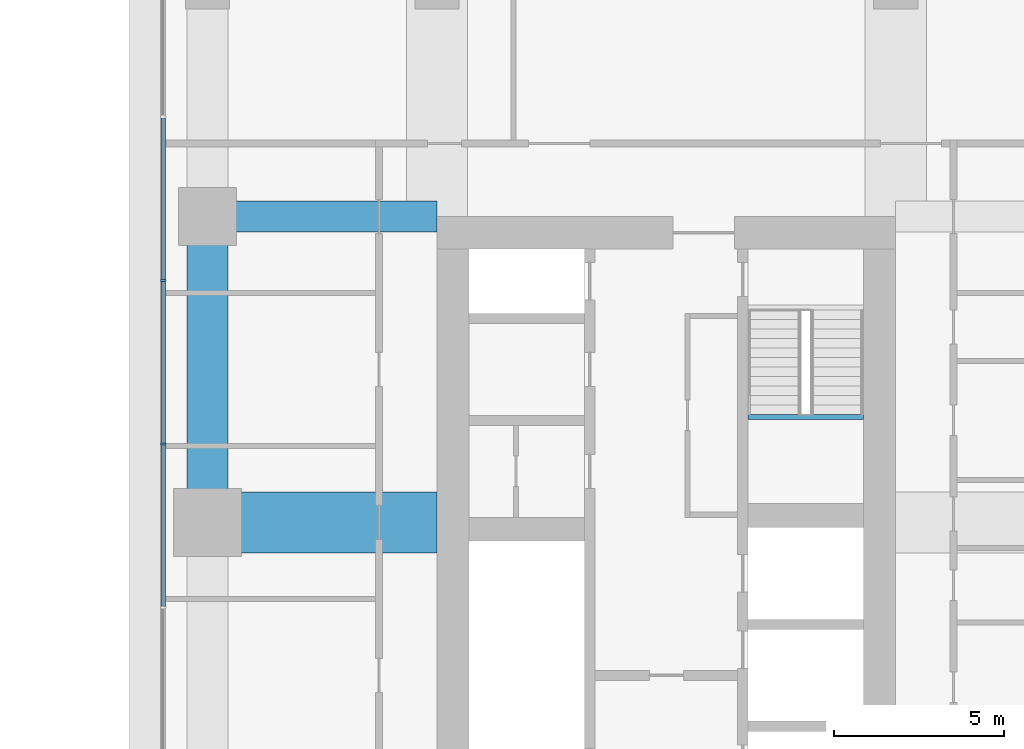
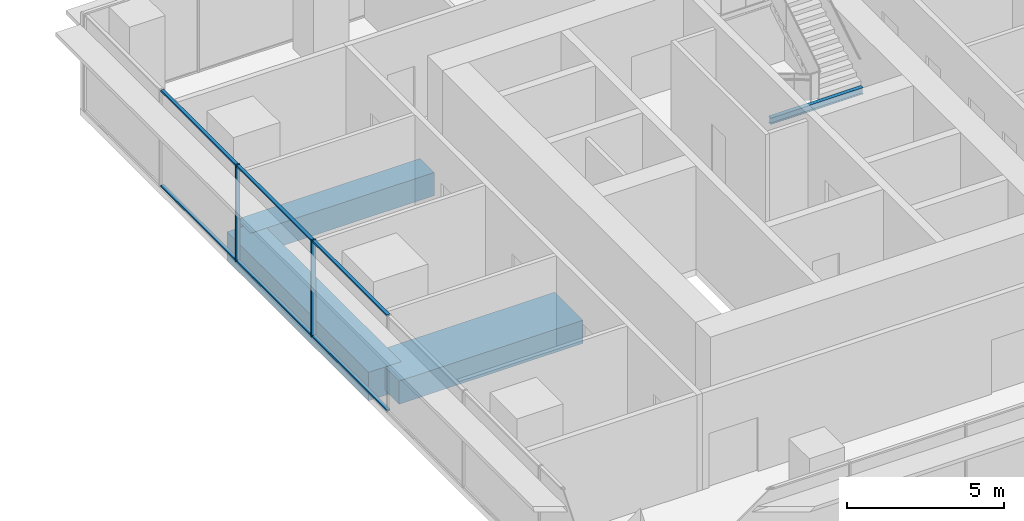
# One storey, part 3 of 14: 8 members, 4 beams, 1 element without a shape of its own.
"""IFC4 building model written with IfcOpenShell, lengths in metres."""

from ifc_helpers import new_model, si_unit, direction, frame, origin, origin_2d, place, context, subcontext, project, spatial, rectangle, i_section, extrude, material, layer, layer_set, material_profile, profile_set, type_object, element, aggregate, save


model = new_model("IFC4")

# Units and contexts
model_context = context("Model", 3, precision=1e-05, world=origin(), true_north=direction((0.0, 1.0)))
body_context = subcontext(model_context, "Body", "Model", "MODEL_VIEW")
ifc_project = project(units=[si_unit("LENGTHUNIT", "METRE"), si_unit("AREAUNIT", "SQUARE_METRE"), si_unit("VOLUMEUNIT", "CUBIC_METRE"), si_unit("PLANEANGLEUNIT", "RADIAN"), si_unit("MASSUNIT", "GRAM", prefix="KILO")], contexts=[model_context])

# Site, building, storey
site_placement = place(None, origin())
site = spatial("IfcSite", under=ifc_project, at=site_placement, CompositionType="ELEMENT")
building_placement = place(site_placement, origin())
building = spatial("IfcBuilding", under=site, at=building_placement, Name="Namib Vertical Campus", CompositionType="ELEMENT")
storey_placement = place(building_placement, frame((0.0, 0.0, 233.0)))
storey = spatial("IfcBuildingStorey", under=building, at=storey_placement, Name="L55", CompositionType="ELEMENT", Elevation=233.0)

# Curtain wall, members
ifc_material_1 = material(Name="Black aluminium curtain wall", Category="aluminium")
ifc_layer = layer(ifc_material_1, 0.199951171875)
ifc_layer_set = layer_set([ifc_layer], Name="Sky lounge curtain wall CW-SL")
curtain_wall_type = type_object("IfcCurtainWallType", Name="Sky lounge curtain wall CW-SL", PredefinedType="USERDEFINED", material=ifc_layer_set)
curtain_wall_placement = place(storey_placement, origin())
curtain_wall = element("IfcCurtainWall", 1, at=curtain_wall_placement, inside=storey, type_object=curtain_wall_type, Name="Curtain wall CW-SL L55 F04-1", ObjectType="CURTAIN WALL", PredefinedType="USERDEFINED")
ifc_material_2 = material(Name="Black anodised aluminium", Category="aluminium")
ifc_material_profile_1 = material_profile(ifc_material_2, rectangle(XDim=0.06005859375, YDim=0.159912109375, at=origin_2d()))
ifc_profile_set_1 = profile_set([ifc_material_profile_1], Name="Black anodised aluminium")
member_type_1 = type_object("IfcMemberType", Name="Curtain wall mullion 60x160", PredefinedType="MULLION", material=ifc_profile_set_1)
member_1_placement = place(storey_placement, frame((66.199951171875, 27.371337890625, 0.0), z_axis=(0.0, 0.0, 1.0), x_axis=(0.0, -1.0, 0.0)))
member_1 = element("IfcMember", 2, at=member_1_placement, type_object=member_type_1, Name="CW-SL mullion 3", PredefinedType="MULLION", context=body_context, shape_type="SweptSolid", body=[
    extrude(rectangle(XDim=0.06005859375, YDim=0.159912109375, at=origin_2d()), origin(), (0.0, 0.0, 1.0), 3.75),
])
member_2_placement = place(storey_placement, frame((66.199951171875, 22.55712890625, 0.0), z_axis=(0.0, 0.0, 1.0), x_axis=(0.0, -1.0, 0.0)))
member_2 = element("IfcMember", 3, at=member_2_placement, type_object=member_type_1, Name="CW-SL mullion 4", PredefinedType="MULLION", context=body_context, shape_type="SweptSolid", body=[
    extrude(rectangle(XDim=0.06005859375, YDim=0.159912109375, at=origin_2d()), origin(), (0.0, 0.0, 1.0), 3.75),
])
ifc_material_3 = material(Name="Black anodised aluminium", Category="aluminium")
ifc_material_profile_2 = material_profile(ifc_material_3, rectangle(XDim=0.06005859375, YDim=0.1201171875, at=origin_2d()))
ifc_profile_set_2 = profile_set([ifc_material_profile_2], Name="Black anodised aluminium")
member_type_2 = type_object("IfcMemberType", Name="Curtain wall transom 60x120", PredefinedType="USERDEFINED", material=ifc_profile_set_2)
member_3_placement = place(storey_placement, frame((66.199951171875, 32.15576171875, 0.030029296875), z_axis=(0.0, -1.0, 0.0), x_axis=(0.0, 0.0, 1.0)))
member_3 = element("IfcMember", 4, at=member_3_placement, type_object=member_type_2, Name="CW-SL transom 2.1", ObjectType="TRANSOM", PredefinedType="USERDEFINED", context=body_context, shape_type="SweptSolid", body=[
    extrude(rectangle(XDim=0.06005859375, YDim=0.1201171875, at=origin_2d()), origin(), (0.0, 0.0, 1.0), 4.75439453125),
])
member_4_placement = place(storey_placement, frame((66.199951171875, 32.15576171875, 3.719970703125), z_axis=(0.0, -1.0, 0.0), x_axis=(0.0, 0.0, 1.0)))
member_4 = element("IfcMember", 5, at=member_4_placement, type_object=member_type_2, Name="CW-SL transom 2.2", ObjectType="TRANSOM", PredefinedType="USERDEFINED", context=body_context, shape_type="SweptSolid", body=[
    extrude(rectangle(XDim=0.06005859375, YDim=0.1201171875, at=origin_2d()), origin(), (0.0, 0.0, 1.0), 4.75439453125),
])
member_5_placement = place(storey_placement, frame((66.199951171875, 27.34130859375, 0.030029296875), z_axis=(0.0, -1.0, 0.0), x_axis=(0.0, 0.0, 1.0)))
member_5 = element("IfcMember", 6, at=member_5_placement, type_object=member_type_2, Name="CW-SL transom 3.1", ObjectType="TRANSOM", PredefinedType="USERDEFINED", context=body_context, shape_type="SweptSolid", body=[
    extrude(rectangle(XDim=0.06005859375, YDim=0.1201171875, at=origin_2d()), origin(), (0.0, 0.0, 1.0), 4.754150390625),
])
member_6_placement = place(storey_placement, frame((66.199951171875, 27.34130859375, 3.719970703125), z_axis=(0.0, -1.0, 0.0), x_axis=(0.0, 0.0, 1.0)))
member_6 = element("IfcMember", 7, at=member_6_placement, type_object=member_type_2, Name="CW-SL transom 3.2", ObjectType="TRANSOM", PredefinedType="USERDEFINED", context=body_context, shape_type="SweptSolid", body=[
    extrude(rectangle(XDim=0.06005859375, YDim=0.1201171875, at=origin_2d()), origin(), (0.0, 0.0, 1.0), 4.754150390625),
])
member_7_placement = place(storey_placement, frame((66.199951171875, 22.527099609375, 0.030029296875), z_axis=(0.0, -1.0, 0.0), x_axis=(0.0, 0.0, 1.0)))
member_7 = element("IfcMember", 8, at=member_7_placement, type_object=member_type_2, Name="CW-SL transom 4.1", ObjectType="TRANSOM", PredefinedType="USERDEFINED", context=body_context, shape_type="SweptSolid", body=[
    extrude(rectangle(XDim=0.06005859375, YDim=0.1201171875, at=origin_2d()), origin(), (0.0, 0.0, 1.0), 4.754150390625),
])
member_8_placement = place(storey_placement, frame((66.199951171875, 22.527099609375, 3.719970703125), z_axis=(0.0, -1.0, 0.0), x_axis=(0.0, 0.0, 1.0)))
member_8 = element("IfcMember", 9, at=member_8_placement, type_object=member_type_2, Name="CW-SL transom 4.2", ObjectType="TRANSOM", PredefinedType="USERDEFINED", context=body_context, shape_type="SweptSolid", body=[
    extrude(rectangle(XDim=0.06005859375, YDim=0.1201171875, at=origin_2d()), origin(), (0.0, 0.0, 1.0), 4.754150390625),
])
aggregate(curtain_wall, [member_1, member_2, member_3, member_4, member_5, member_6, member_7, member_8])

# Beams
ifc_material_4 = material(Name="Concrete C40/50", Category="concrete")
ifc_material_profile_3 = material_profile(ifc_material_4, rectangle(XDim=0.89990234375, YDim=0.89990234375, at=origin_2d()))
ifc_profile_set_3 = profile_set([ifc_material_profile_3], Name="Concrete C40/50")
beam_type_1 = type_object("IfcBeamType", Name="Face girder RC 900x900", PredefinedType="BEAM", material=ifc_profile_set_3)
beam_1_placement = place(storey_placement, frame((67.5, 29.25, -0.699951171875), z_axis=(1.0, 0.0, 0.0), x_axis=(0.0, 1.0, 0.0)))
element("IfcBeam", 10, at=beam_1_placement, inside=storey, type_object=beam_type_1, Name="Beam B10 L55", PredefinedType="BEAM", context=body_context, shape_type="SweptSolid", body=[
    extrude(rectangle(XDim=0.89990234375, YDim=0.89990234375, at=origin_2d()), origin(), (0.0, 0.0, 1.0), 6.75),
])
ifc_material_5 = material(Name="Concrete C40/50", Category="concrete")
ifc_material_profile_4 = material_profile(ifc_material_5, rectangle(XDim=1.199951171875, YDim=1.10009765625, at=origin_2d()))
ifc_profile_set_4 = profile_set([ifc_material_profile_4], Name="Concrete C40/50")
beam_type_2 = type_object("IfcBeamType", Name="Face ring beam RC 1200x1100", PredefinedType="BEAM", material=ifc_profile_set_4)
beam_2_placement = place(storey_placement, frame((67.5, 20.25, -0.800048828125), z_axis=(0.0, 1.0, 0.0), x_axis=(-1.0, 0.0, 0.0)))
element("IfcBeam", 11, at=beam_2_placement, inside=storey, type_object=beam_type_2, Name="Beam B11 L55", PredefinedType="BEAM", context=body_context, shape_type="SweptSolid", body=[
    extrude(rectangle(XDim=1.199951171875, YDim=1.10009765625, at=origin_2d()), origin(), (0.0, 0.0, 1.0), 9.0),
])
ifc_material_6 = material(Name="Steel S355JR", Category="steel")
ifc_material_profile_5 = material_profile(ifc_material_6, i_section(OverallWidth=0.14599609375, OverallDepth=0.25146484375, WebThickness=0.006103515625, FlangeThickness=0.008544921875, FilletRadius=0.007568359375, at=origin_2d()))
ifc_profile_set_5 = profile_set([ifc_material_profile_5], Name="Steel S355JR")
beam_type_3 = type_object("IfcBeamType", Name="Landing trimmer UB 254x146x31", PredefinedType="BEAM", material=ifc_profile_set_5)
beam_3_placement = place(storey_placement, frame((83.39990234375, 23.346923828125, 1.874267578125), z_axis=(1.0, 0.0, 0.0), x_axis=(0.0, 1.0, 0.0)))
element("IfcBeam", 12, at=beam_3_placement, inside=storey, type_object=beam_type_3, Name="Landing trimmer LT1 B-S2 L55 2", PredefinedType="BEAM", context=body_context, shape_type="SweptSolid", body=[
    extrude(i_section(OverallWidth=0.14599609375, OverallDepth=0.25146484375, WebThickness=0.006103515625, FlangeThickness=0.008544921875, FilletRadius=0.007568359375, at=origin_2d()), origin(), (0.0, 0.0, 1.0), 3.400146484375),
])
ifc_material_7 = material(Name="Concrete C40/50", Category="concrete")
ifc_material_profile_6 = material_profile(ifc_material_7, rectangle(XDim=1.800048828125, YDim=0.89990234375, at=origin_2d()))
ifc_profile_set_6 = profile_set([ifc_material_profile_6], Name="Concrete C40/50")
beam_type_4 = type_object("IfcBeamType", Name="Outrigger line girder RC 1800x900", PredefinedType="BEAM", material=ifc_profile_set_6)
beam_4_placement = place(storey_placement, frame((67.5, 20.25, -0.699951171875), z_axis=(1.0, 0.0, 0.0), x_axis=(0.0, 1.0, 0.0)))
element("IfcBeam", 13, at=beam_4_placement, inside=storey, type_object=beam_type_4, Name="Beam B12 L55", PredefinedType="BEAM", context=body_context, shape_type="SweptSolid", body=[
    extrude(rectangle(XDim=1.800048828125, YDim=0.89990234375, at=origin_2d()), origin(), (0.0, 0.0, 1.0), 6.75),
])

save(model, "model.ifc")
